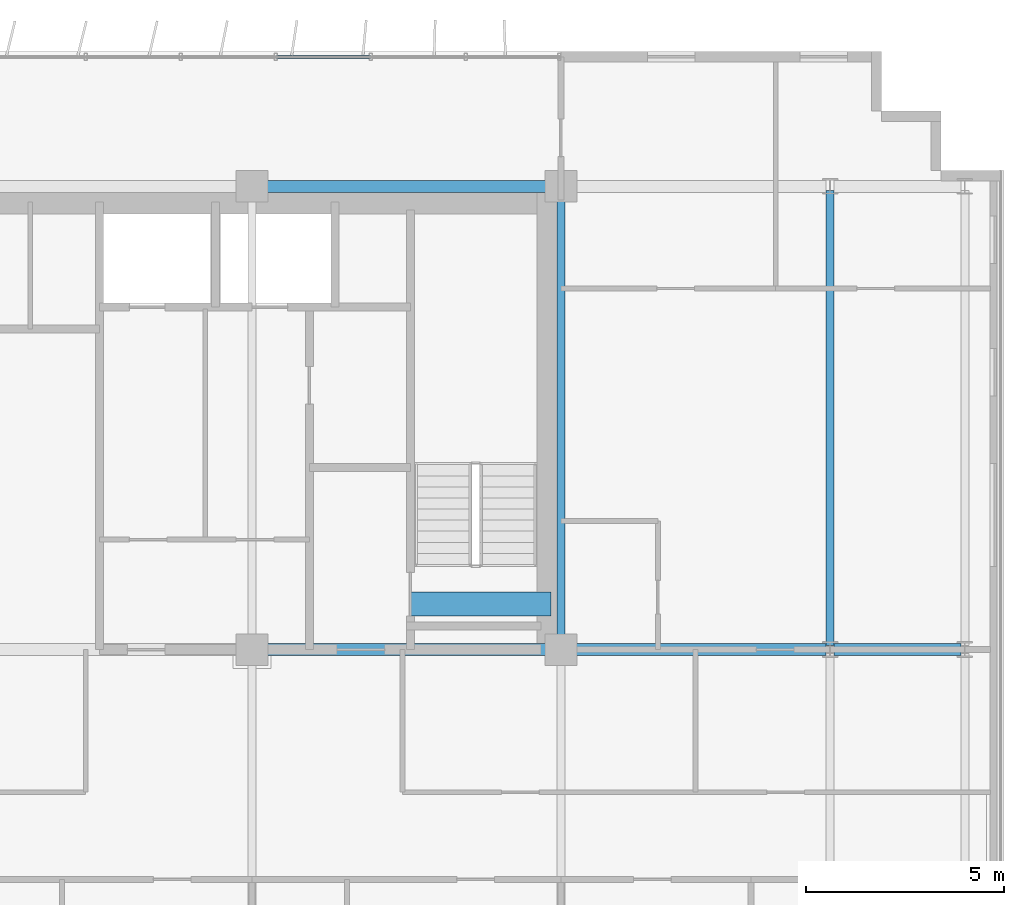
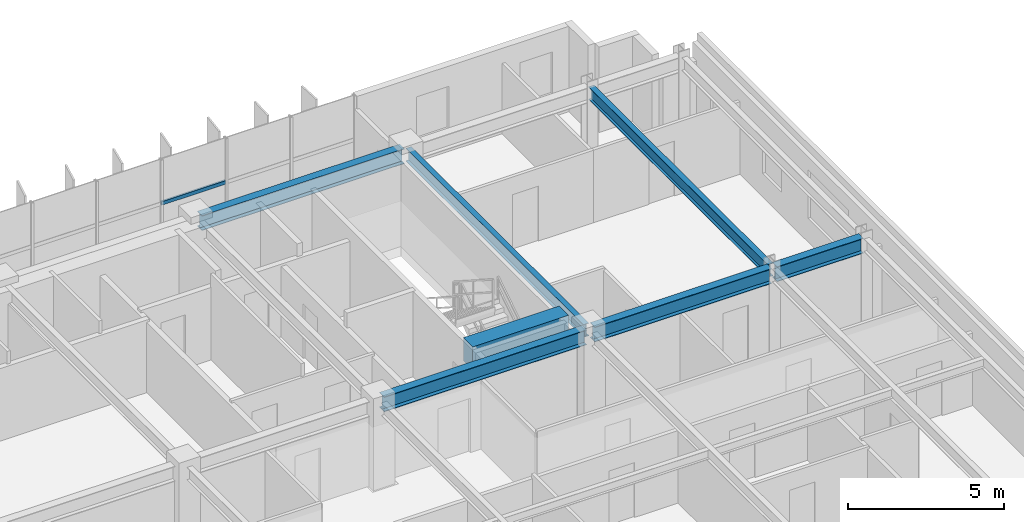
# One storey, part 10 of 22: 7 beams, 1 member, 1 element without a shape of its own.
"""IFC4 building model written with IfcOpenShell, lengths in metres."""

from ifc_helpers import new_model, si_unit, direction, frame, origin, origin_2d, place, context, subcontext, project, spatial, rectangle, hollow_rectangle, i_section, extrude, source, transform, mapped, material, material_profile, profile_set, type_object, element, aggregate, save


model = new_model("IFC4")

# Units and contexts
model_context = context("Model", 3, precision=1e-05, world=origin(), true_north=direction((0.0, 1.0)))
body_context = subcontext(model_context, "Body", "Model", "MODEL_VIEW")
ifc_project = project(units=[si_unit("LENGTHUNIT", "METRE"), si_unit("AREAUNIT", "SQUARE_METRE"), si_unit("VOLUMEUNIT", "CUBIC_METRE"), si_unit("PLANEANGLEUNIT", "RADIAN"), si_unit("MASSUNIT", "GRAM", prefix="KILO")], contexts=[model_context])

# Site, building, storey
site_placement = place(None, origin())
site = spatial("IfcSite", under=ifc_project, at=site_placement, CompositionType="ELEMENT")
building_placement = place(site_placement, origin())
building = spatial("IfcBuilding", under=site, at=building_placement, Name="Trelvane Seafront Commons", CompositionType="ELEMENT")
storey_placement = place(building_placement, frame((0.0, 0.0, 81.699951171875)))
storey = spatial("IfcBuildingStorey", under=building, at=storey_placement, Name="L20", CompositionType="ELEMENT", Elevation=81.699951171875)

# Beams
ifc_material_1 = material(Name="Concrete C60/75", Category="concrete")
ifc_material_profile_1 = material_profile(ifc_material_1, rectangle(XDim=0.60009765625, YDim=0.89990234375, at=origin_2d()), Name="RC-600x900")
ifc_profile_set_1 = profile_set([ifc_material_profile_1], Name="Concrete C60/75")
beam_type_1 = type_object("IfcBeamType", Name="STR-LNT-RC600x900", PredefinedType="LINTEL", material=ifc_profile_set_1)
shared_shape_1 = source(origin(), body_context, "Body", "SweptSolid", [
    extrude(rectangle(XDim=0.60009765625, YDim=0.89990234375, at=origin_2d()), origin(), (0.0, 0.0, 1.0), 3.550048828125),
])
beam_1_placement = place(storey_placement, frame((55.0, 34.550048828125, 2.89013671875), z_axis=(1.0, 0.0, 0.0), x_axis=(0.0, 1.0, 0.0)))
element("IfcBeam", 1, at=beam_1_placement, inside=storey, type_object=beam_type_1, Name="L20 Core Coupling Lintel Beam CB-86", PredefinedType="LINTEL", context=body_context, shape_type="MappedRepresentation", body=[
    mapped(shared_shape_1, transform((0.0, 0.0, 0.0), x_axis=(1.0, 0.0, 0.0), y_axis=(0.0, 1.0, 0.0), z_axis=(0.0, 0.0, 1.0), scale=1.0)),
])
ifc_material_2 = material(Name="Steel SM355 (S355)", Category="steel")
ifc_material_profile_2 = material_profile(ifc_material_2, i_section(OverallWidth=0.300048828125, OverallDepth=0.587890625, WebThickness=0.011962890625, FlangeThickness=0.02001953125, at=origin_2d()), Name="H-588x300x12x20")
ifc_profile_set_2 = profile_set([ifc_material_profile_2], Name="Steel SM355 (S355)")
beam_type_2 = type_object("IfcBeamType", Name="STR-BM-H588", PredefinedType="BEAM", material=ifc_profile_set_2)
shared_shape_2 = source(origin(), body_context, "Body", "SweptSolid", [
    extrude(i_section(OverallWidth=0.300048828125, OverallDepth=0.587890625, WebThickness=0.011962890625, FlangeThickness=0.02001953125, at=origin_2d()), origin(), (0.0, 0.0, 1.0), 3.199951171875),
])
beam_2_placement = place(storey_placement, frame((65.699951171875, 33.39990234375, 3.046142578125), z_axis=(1.0, 0.0, 0.0), x_axis=(0.0, 1.0, 0.0)))
element("IfcBeam", 2, at=beam_2_placement, inside=storey, type_object=beam_type_2, Name="L20 Primary Girder G-27", PredefinedType="BEAM", context=body_context, shape_type="MappedRepresentation", body=[
    mapped(shared_shape_2, transform((0.0, 0.0, 0.0), x_axis=(1.0, 0.0, 0.0), y_axis=(0.0, 1.0, 0.0), z_axis=(0.0, 0.0, 1.0), scale=1.0)),
])
shared_shape_3 = source(origin(), body_context, "Body", "SweptSolid", [
    extrude(i_section(OverallWidth=0.300048828125, OverallDepth=0.587890625, WebThickness=0.011962890625, FlangeThickness=0.02001953125, at=origin_2d()), origin(), (0.0, 0.0, 1.0), 6.550048828125),
])
beam_3_placement = place(storey_placement, frame((58.949951171875, 33.39990234375, 3.046142578125), z_axis=(1.0, 0.0, 0.0), x_axis=(0.0, 1.0, 0.0)))
element("IfcBeam", 3, at=beam_3_placement, inside=storey, type_object=beam_type_2, Name="L20 Primary Girder G-26", PredefinedType="BEAM", context=body_context, shape_type="MappedRepresentation", body=[
    mapped(shared_shape_3, transform((0.0, 0.0, 0.0), x_axis=(1.0, 0.0, 0.0), y_axis=(0.0, 1.0, 0.0), z_axis=(0.0, 0.0, 1.0), scale=1.0)),
])
shared_shape_4 = source(origin(), body_context, "Body", "SweptSolid", [
    extrude(i_section(OverallWidth=0.300048828125, OverallDepth=0.587890625, WebThickness=0.011962890625, FlangeThickness=0.02001953125, at=origin_2d()), origin(), (0.0, 0.0, 1.0), 7.5),
])
for number, where, z_axis, x_axis, name in (
    (4, (51.14990234375, 33.39990234375, 3.046142578125), (1.0, 0.0, 0.0), (0.0, 1.0, 0.0), "L20 Primary Girder G-25"),
    (5, (51.14990234375, 45.10009765625, 3.046142578125), (1.0, 0.0, 0.0), (0.0, 1.0, 0.0), "L20 Primary Girder G-34"),
):
    element("IfcBeam", number, at=place(storey_placement, frame(where, z_axis=z_axis, x_axis=x_axis)), inside=storey, type_object=beam_type_2, Name=name, PredefinedType="BEAM", context=body_context, shape_type="MappedRepresentation", body=[
        mapped(shared_shape_4, transform((0.0, 0.0, 0.0), x_axis=(1.0, 0.0, 0.0), y_axis=(0.0, 1.0, 0.0), z_axis=(0.0, 0.0, 1.0), scale=1.0)),
    ])
ifc_material_profile_3 = material_profile(ifc_material_2, i_section(OverallWidth=0.199951171875, OverallDepth=0.5, WebThickness=0.010009765625, FlangeThickness=0.01611328125, at=origin_2d()), Name="H-500x200x10x16")
ifc_profile_set_3 = profile_set([ifc_material_profile_3], Name="Steel SM355 (S355)")
beam_type_3 = type_object("IfcBeamType", Name="STR-BM-H500", PredefinedType="BEAM", material=ifc_profile_set_3)
shared_shape_5 = source(origin(), body_context, "Body", "SweptSolid", [
    extrude(i_section(OverallWidth=0.199951171875, OverallDepth=0.5, WebThickness=0.010009765625, FlangeThickness=0.01611328125, at=origin_2d()), origin(), (0.0, 0.0, 1.0), 11.5),
])
beam_4_placement = place(storey_placement, frame((65.60009765625, 33.5, 3.090087890625), z_axis=(0.0, 1.0, 0.0), x_axis=(-1.0, 0.0, 0.0)))
element("IfcBeam", 6, at=beam_4_placement, inside=storey, type_object=beam_type_3, Name="L20 Primary Girder G-63", PredefinedType="BEAM", context=body_context, shape_type="MappedRepresentation", body=[
    mapped(shared_shape_5, transform((0.0, 0.0, 0.0), x_axis=(1.0, 0.0, 0.0), y_axis=(0.0, 1.0, 0.0), z_axis=(0.0, 0.0, 1.0), scale=1.0)),
])
shared_shape_6 = source(origin(), body_context, "Body", "SweptSolid", [
    extrude(i_section(OverallWidth=0.199951171875, OverallDepth=0.5, WebThickness=0.010009765625, FlangeThickness=0.01611328125, at=origin_2d()), origin(), (0.0, 0.0, 1.0), 11.39990234375),
])
beam_5_placement = place(storey_placement, frame((58.800048828125, 33.550048828125, 3.090087890625), z_axis=(0.0, 1.0, 0.0), x_axis=(-1.0, 0.0, 0.0)))
element("IfcBeam", 7, at=beam_5_placement, inside=storey, type_object=beam_type_3, Name="L20 Primary Girder G-60", PredefinedType="BEAM", context=body_context, shape_type="MappedRepresentation", body=[
    mapped(shared_shape_6, transform((0.0, 0.0, 0.0), x_axis=(1.0, 0.0, 0.0), y_axis=(0.0, 1.0, 0.0), z_axis=(0.0, 0.0, 1.0), scale=1.0)),
])

# Curtain wall, member
ifc_material_3 = material(Name="Anodised pale-silver aluminium", Category="aluminium")
curtain_wall_type = type_object("IfcCurtainWallType", Name="ARCH-CW4-SKYLOBBY", PredefinedType="NOTDEFINED", material=ifc_material_3)
curtain_wall_placement = place(storey_placement, origin())
curtain_wall = element("IfcCurtainWall", 8, at=curtain_wall_placement, inside=storey, type_object=curtain_wall_type, Name="CW-L20-0045", PredefinedType="NOTDEFINED")
ifc_material_profile_4 = material_profile(ifc_material_3, hollow_rectangle(XDim=0.074951171875, YDim=0.139892578125, WallThickness=0.00390625, at=origin_2d()), Name="TRAN-75x140x4")
ifc_profile_set_4 = profile_set([ifc_material_profile_4], Name="Anodised pale-silver aluminium")
member_type = type_object("IfcMemberType", Name="ARCH-CW-TRAN-140", PredefinedType="USERDEFINED", material=ifc_profile_set_4)
shared_shape_7 = source(origin(), body_context, "Body", "SweptSolid", [
    extrude(hollow_rectangle(XDim=0.074951171875, YDim=0.139892578125, WallThickness=0.00390625, at=origin_2d()), origin(), (0.0, 0.0, 1.0), 2.3759765625),
])
member_placement = place(storey_placement, frame((51.612060546875, 48.3701171875, 1.60302734375), z_axis=(1.0, 0.0, 0.0), x_axis=(0.0, 1.0, 0.0)))
member = element("IfcMember", 9, at=member_placement, type_object=member_type, Name="CW-L20-0045-T15", ObjectType="TRANSOM", PredefinedType="USERDEFINED", context=body_context, shape_type="MappedRepresentation", body=[
    mapped(shared_shape_7, transform((0.0, 0.0, 0.0), x_axis=(1.0, 0.0, 0.0), y_axis=(0.0, 1.0, 0.0), z_axis=(0.0, 0.0, 1.0), scale=1.0)),
])
aggregate(curtain_wall, [member])

save(model, "model.ifc")
